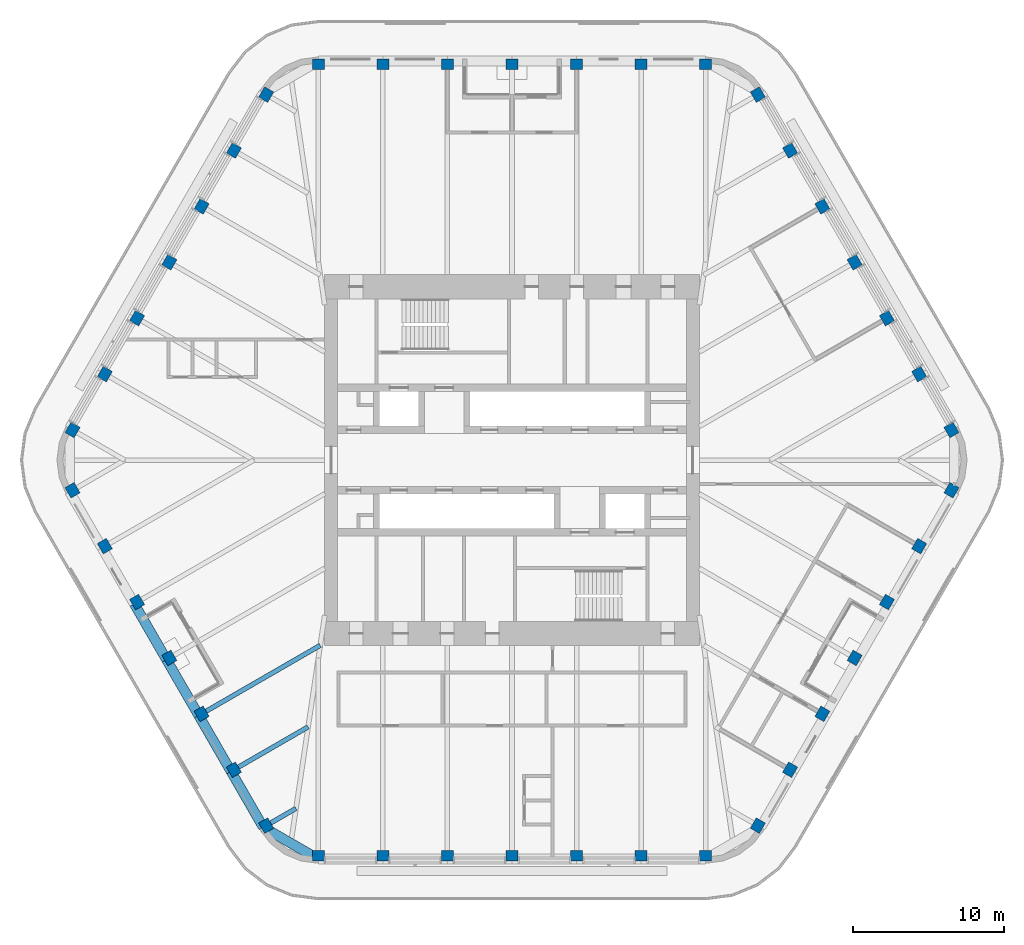
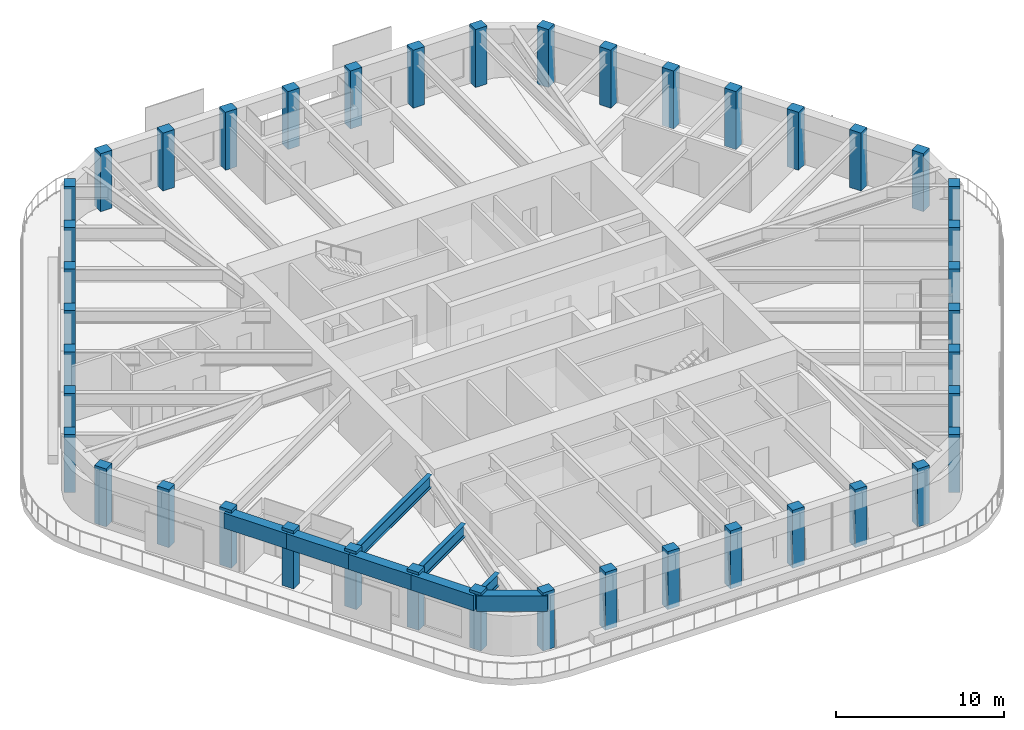
# One storey, part 1 of 20: 42 columns, 8 beams.
"""IFC4 building model written with IfcOpenShell, lengths in metres."""

from ifc_helpers import new_model, si_unit, direction, frame, origin, origin_2d, place, context, subcontext, project, spatial, rectangle, i_section, extrude, material, material_profile, profile_set, type_object, element, save


model = new_model("IFC4")

# Units and contexts
model_context = context("Model", 3, precision=1e-05, world=origin(), true_north=direction((0.0, 1.0)))
body_context = subcontext(model_context, "Body", "Model", "MODEL_VIEW")
ifc_project = project(units=[si_unit("LENGTHUNIT", "METRE"), si_unit("AREAUNIT", "SQUARE_METRE"), si_unit("VOLUMEUNIT", "CUBIC_METRE"), si_unit("PLANEANGLEUNIT", "RADIAN"), si_unit("MASSUNIT", "GRAM", prefix="KILO")], contexts=[model_context])

# Site, building, storey
site_placement = place(None, origin())
site = spatial("IfcSite", under=ifc_project, at=site_placement, CompositionType="ELEMENT")
building_placement = place(site_placement, origin())
building = spatial("IfcBuilding", under=site, at=building_placement, Name="Tarfa Lantern Tower", CompositionType="ELEMENT")
storey_placement = place(building_placement, frame((0.0, 0.0, 378.699951171875)))
storey = spatial("IfcBuildingStorey", under=building, at=storey_placement, Name="L86", CompositionType="ELEMENT", Elevation=378.699951171875)

# Columns
ifc_material_1 = material(Name="Concrete C80/95", Category="concrete")
ifc_material_profile_1 = material_profile(ifc_material_1, rectangle(XDim=0.800048828125, YDim=0.699951171875, at=origin_2d()), Name="RC 800x700")
ifc_profile_set_1 = profile_set([ifc_material_profile_1], Name="Concrete C80/95")
column_type = type_object("IfcColumnType", Name="TC16 RC 800x700", PredefinedType="COLUMN", material=ifc_profile_set_1)
for number, where, z_axis, x_axis, name in (
    (1, (29.15625, 2.0, 0.0), (0.0, 0.0, 1.0), (-0.5, 0.866025403784, 0.0), "Tube column NE0"),
    (2, (27.01513671875, 5.708251953125, 0.0), (0.0, 0.0, 1.0), (-0.5, 0.866025403784, 0.0), "Tube column NE1"),
    (3, (24.874267578125, 9.416748046875, 0.0), (0.0, 0.0, 1.0), (-0.5, 0.866025403784, 0.0), "Tube column NE2"),
    (4, (22.733154296875, 13.125, 0.0), (0.0, 0.0, 1.0), (-0.5, 0.866025403784, 0.0), "Tube column NE3"),
    (5, (20.592041015625, 16.833251953125, 0.0), (0.0, 0.0, 1.0), (-0.5, 0.866025403784, 0.0), "Tube column NE4"),
    (6, (18.451171875, 20.541748046875, 0.0), (0.0, 0.0, 1.0), (-0.5, 0.866025403784, 0.0), "Tube column NE5"),
    (7, (16.31005859375, 24.25, 0.0), (0.0, 0.0, 1.0), (-0.5, 0.866025403784, 0.0), "Tube column NE6"),
    (8, (12.845947265625, 26.25, 0.0), (0.0, 0.0, 1.0), (-1.0, 0.0, 0.0), "Tube column N0"),
    (9, (8.56396484375, 26.25, 0.0), (0.0, 0.0, 1.0), (-1.0, 0.0, 0.0), "Tube column N1"),
    (10, (4.281982421875, 26.25, 0.0), (0.0, 0.0, 1.0), (-1.0, 0.0, 0.0), "Tube column N2"),
    (11, (0.0, 26.25, 0.0), (0.0, 0.0, 1.0), (-1.0, 0.0, 0.0), "Tube column N3"),
    (12, (-4.281982421875, 26.25, 0.0), (0.0, 0.0, 1.0), (-1.0, 0.0, 0.0), "Tube column N4"),
    (13, (-8.56396484375, 26.25, 0.0), (0.0, 0.0, 1.0), (-1.0, 0.0, 0.0), "Tube column N5"),
    (14, (-12.845947265625, 26.25, 0.0), (0.0, 0.0, 1.0), (-1.0, 0.0, 0.0), "Tube column N6"),
    (15, (-16.31005859375, 24.25, 0.0), (0.0, 0.0, 1.0), (-0.5, -0.866025403784, 0.0), "Tube column NW0"),
    (16, (-18.451171875, 20.541748046875, 0.0), (0.0, 0.0, 1.0), (-0.5, -0.866025403784, 0.0), "Tube column NW1"),
    (17, (-20.592041015625, 16.833251953125, 0.0), (0.0, 0.0, 1.0), (-0.5, -0.866025403784, 0.0), "Tube column NW2"),
    (18, (-22.733154296875, 13.125, 0.0), (0.0, 0.0, 1.0), (-0.5, -0.866025403784, 0.0), "Tube column NW3"),
    (19, (-24.874267578125, 9.416748046875, 0.0), (0.0, 0.0, 1.0), (-0.5, -0.866025403784, 0.0), "Tube column NW4"),
    (20, (-27.01513671875, 5.708251953125, 0.0), (0.0, 0.0, 1.0), (-0.5, -0.866025403784, 0.0), "Tube column NW5"),
    (21, (-29.15625, 2.0, 0.0), (0.0, 0.0, 1.0), (-0.5, -0.866025403784, 0.0), "Tube column NW6"),
    (22, (-29.15625, -2.0, 0.0), (0.0, 0.0, 1.0), (0.5, -0.866025403784, 0.0), "Tube column SW0"),
    (23, (-27.01513671875, -5.708251953125, 0.0), (0.0, 0.0, 1.0), (0.5, -0.866025403784, 0.0), "Tube column SW1"),
    (24, (-24.874267578125, -9.416748046875, 0.0), (0.0, 0.0, 1.0), (0.5, -0.866025403784, 0.0), "Tube column SW2"),
    (25, (-22.733154296875, -13.125, 0.0), (0.0, 0.0, 1.0), (0.5, -0.866025403784, 0.0), "Tube column SW3"),
    (26, (-20.592041015625, -16.833251953125, 0.0), (0.0, 0.0, 1.0), (0.5, -0.866025403784, 0.0), "Tube column SW4"),
    (27, (-18.451171875, -20.541748046875, 0.0), (0.0, 0.0, 1.0), (0.5, -0.866025403784, 0.0), "Tube column SW5"),
    (28, (-16.31005859375, -24.25, 0.0), (0.0, 0.0, 1.0), (0.5, -0.866025403784, 0.0), "Tube column SW6"),
    (29, (-12.845947265625, -26.25, 0.0), (0.0, 0.0, 1.0), (1.0, 0.0, 0.0), "Tube column S0"),
    (30, (-8.56396484375, -26.25, 0.0), (0.0, 0.0, 1.0), (1.0, 0.0, 0.0), "Tube column S1"),
    (31, (-4.281982421875, -26.25, 0.0), (0.0, 0.0, 1.0), (1.0, 0.0, 0.0), "Tube column S2"),
    (32, (0.0, -26.25, 0.0), (0.0, 0.0, 1.0), (1.0, 0.0, 0.0), "Tube column S3"),
    (33, (4.281982421875, -26.25, 0.0), (0.0, 0.0, 1.0), (1.0, 0.0, 0.0), "Tube column S4"),
    (34, (8.56396484375, -26.25, 0.0), (0.0, 0.0, 1.0), (1.0, 0.0, 0.0), "Tube column S5"),
    (35, (12.845947265625, -26.25, 0.0), (0.0, 0.0, 1.0), (1.0, 0.0, 0.0), "Tube column S6"),
    (36, (16.31005859375, -24.25, 0.0), (0.0, 0.0, 1.0), (0.5, 0.866025403784, 0.0), "Tube column SE0"),
    (37, (18.451171875, -20.541748046875, 0.0), (0.0, 0.0, 1.0), (0.5, 0.866025403784, 0.0), "Tube column SE1"),
    (38, (20.592041015625, -16.833251953125, 0.0), (0.0, 0.0, 1.0), (0.5, 0.866025403784, 0.0), "Tube column SE2"),
    (39, (22.733154296875, -13.125, 0.0), (0.0, 0.0, 1.0), (0.5, 0.866025403784, 0.0), "Tube column SE3"),
    (40, (24.874267578125, -9.416748046875, 0.0), (0.0, 0.0, 1.0), (0.5, 0.866025403784, 0.0), "Tube column SE4"),
    (41, (27.01513671875, -5.708251953125, 0.0), (0.0, 0.0, 1.0), (0.5, 0.866025403784, 0.0), "Tube column SE5"),
    (42, (29.15625, -2.0, 0.0), (0.0, 0.0, 1.0), (0.5, 0.866025403784, 0.0), "Tube column SE6"),
):
    element("IfcColumn", number, at=place(storey_placement, frame(where, z_axis=z_axis, x_axis=x_axis)), inside=storey, type_object=column_type, Name=name, PredefinedType="COLUMN", context=body_context, shape_type="SweptSolid", body=[
        extrude(rectangle(XDim=0.800048828125, YDim=0.699951171875, at=origin_2d()), origin(), (0.0, 0.0, 1.0), 4.199951171875),
    ])

# Beams
ifc_material_profile_2 = material_profile(ifc_material_1, rectangle(XDim=0.64990234375, YDim=1.10009765625, at=origin_2d()), Name="RC 650x1100")
ifc_profile_set_2 = profile_set([ifc_material_profile_2], Name="Concrete C80/95")
beam_type_1 = type_object("IfcBeamType", Name="EB4 RC 650x1100", PredefinedType="SPANDREL", material=ifc_profile_set_2)
beam_1_placement = place(storey_placement, frame((-25.064697265625, -9.526611328125, 3.449951171875), z_axis=(0.500002112793, -0.866024183959, 0.0), x_axis=(0.866024183959, 0.500002112793, 0.0)))
element("IfcBeam", 43, at=beam_1_placement, inside=storey, type_object=beam_type_1, Name="Edge beam SW2", PredefinedType="SPANDREL", context=body_context, shape_type="SweptSolid", body=[
    extrude(rectangle(XDim=0.64990234375, YDim=1.10009765625, at=origin_2d()), origin(), (0.0, 0.0, 1.0), 4.2822265625),
])
for number, where, z_axis, x_axis, name in (
    (44, (-22.923583984375, -13.235107421875, 3.449951171875), (0.499984039138, -0.866034618596, 0.0), (0.866034618596, 0.499984039138, 0.0), "Edge beam SW3"),
    (45, (-20.78271484375, -16.943359375, 3.449951171875), (0.500026801138, -0.866009929587, 0.0), (0.866009929587, 0.500026801138, 0.0), "Edge beam SW4"),
    (46, (-18.6416015625, -20.651611328125, 3.449951171875), (0.499959351497, -0.866048870937, 0.0), (0.866048870937, 0.499959351497, 0.0), "Edge beam SW5"),
):
    element("IfcBeam", number, at=place(storey_placement, frame(where, z_axis=z_axis, x_axis=x_axis)), inside=storey, type_object=beam_type_1, Name=name, PredefinedType="SPANDREL", context=body_context, shape_type="SweptSolid", body=[
        extrude(rectangle(XDim=0.64990234375, YDim=1.10009765625, at=origin_2d()), origin(), (0.0, 0.0, 1.0), 4.281982421875),
    ])
beam_2_placement = place(storey_placement, frame((-16.500732421875, -24.360107421875, 3.449951171875), z_axis=(0.866048788483, -0.499959494327, 0.0), x_axis=(0.499959494327, 0.866048788483, 0.0)))
element("IfcBeam", 47, at=beam_2_placement, inside=storey, type_object=beam_type_1, Name="Edge beam SW6", PredefinedType="SPANDREL", context=body_context, shape_type="SweptSolid", body=[
    extrude(rectangle(XDim=0.64990234375, YDim=1.10009765625, at=origin_2d()), origin(), (0.0, 0.0, 1.0), 4.219970703125),
])
ifc_material_2 = material(Name="Steel S460M", Category="steel")
ifc_material_profile_3 = material_profile(ifc_material_2, i_section(OverallWidth=0.305419921875, OverallDepth=0.91845703125, WebThickness=0.017333984375, FlangeThickness=0.02783203125, FilletRadius=0.01904296875, at=origin_2d()), Name="UB914x305x253")
ifc_profile_set_3 = profile_set([ifc_material_profile_3], Name="Steel S460M")
beam_type_2 = type_object("IfcBeamType", Name="UB914x305x253", PredefinedType="BEAM", material=ifc_profile_set_3)
beam_3_placement = place(storey_placement, frame((-20.78271484375, -16.943359375, 3.540771484375), z_axis=(0.866021806508, 0.500006230613, 0.0), x_axis=(-0.500006230613, 0.866021806508, 0.0)))
element("IfcBeam", 48, at=beam_3_placement, inside=storey, type_object=beam_type_2, Name="Floor beam SW4", PredefinedType="BEAM", context=body_context, shape_type="SweptSolid", body=[
    extrude(i_section(OverallWidth=0.305419921875, OverallDepth=0.91845703125, WebThickness=0.017333984375, FlangeThickness=0.02783203125, FilletRadius=0.01904296875, at=origin_2d()), origin(), (0.0, 0.0, 1.0), 9.30908203125),
])
beam_4_placement = place(storey_placement, frame((-18.6416015625, -20.651611328125, 3.540771484375), z_axis=(0.866024549157, 0.500001480256, 0.0), x_axis=(-0.500001480256, 0.866024549157, 0.0)))
element("IfcBeam", 49, at=beam_4_placement, inside=storey, type_object=beam_type_2, Name="Floor beam SW5", PredefinedType="BEAM", context=body_context, shape_type="SweptSolid", body=[
    extrude(i_section(OverallWidth=0.305419921875, OverallDepth=0.91845703125, WebThickness=0.017333984375, FlangeThickness=0.02783203125, FilletRadius=0.01904296875, at=origin_2d()), origin(), (0.0, 0.0, 1.0), 5.90771484375),
])
beam_5_placement = place(storey_placement, frame((-16.500732421875, -24.360107421875, 3.540771484375), z_axis=(0.865992557167, 0.500056887695, 0.0), x_axis=(-0.500056887695, 0.865992557167, 0.0)))
element("IfcBeam", 50, at=beam_5_placement, inside=storey, type_object=beam_type_2, Name="Floor beam SW6", PredefinedType="BEAM", context=body_context, shape_type="SweptSolid", body=[
    extrude(i_section(OverallWidth=0.305419921875, OverallDepth=0.91845703125, WebThickness=0.017333984375, FlangeThickness=0.02783203125, FilletRadius=0.01904296875, at=origin_2d()), origin(), (0.0, 0.0, 1.0), 2.506591796875),
])

save(model, "model.ifc")
